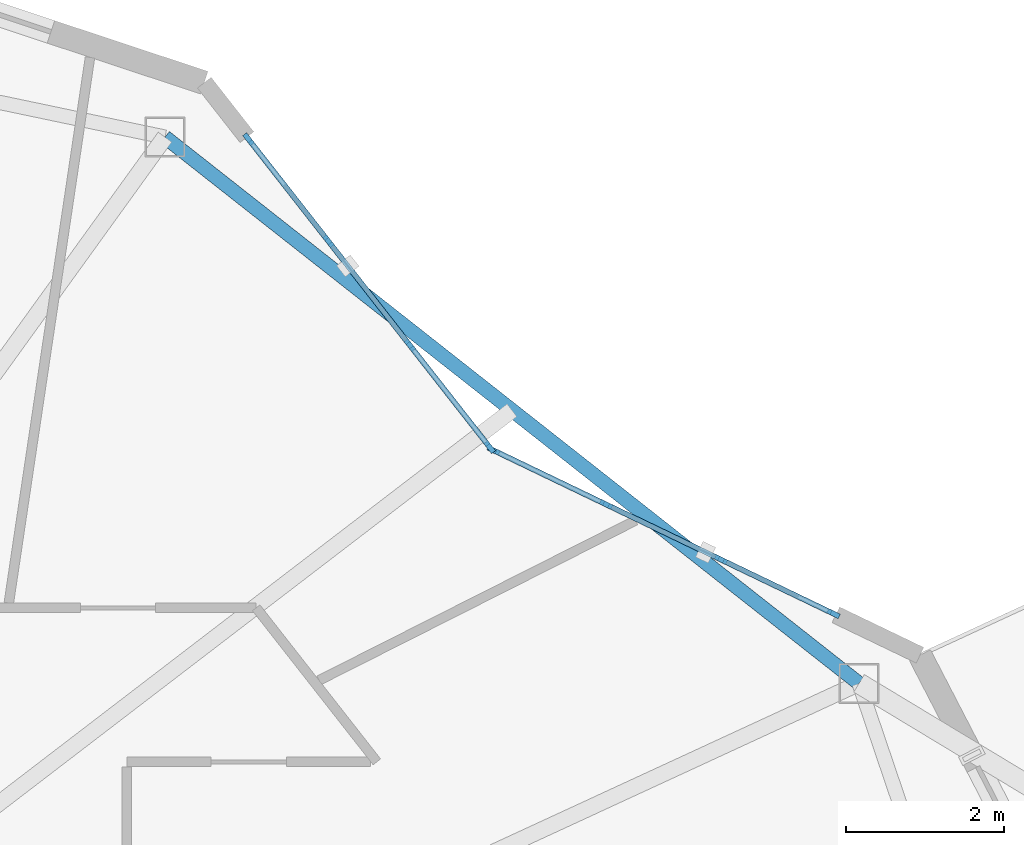
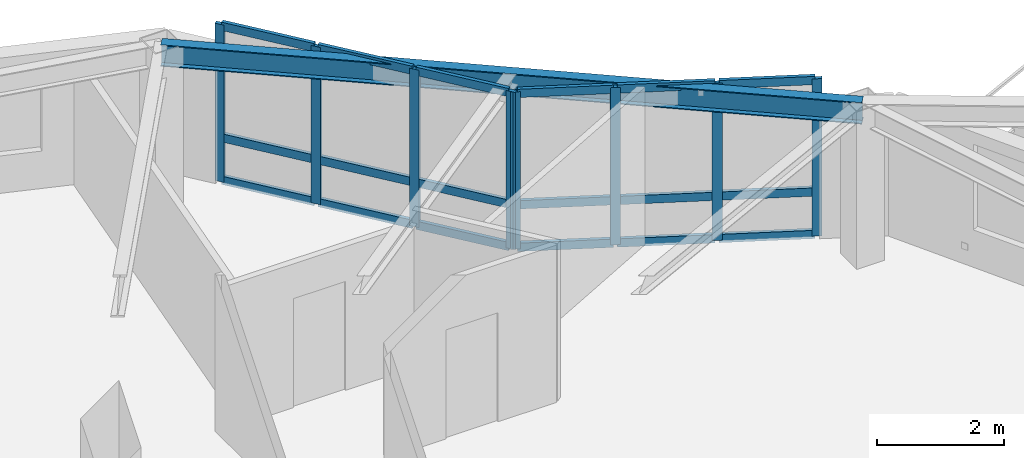
# One storey, part 4 of 14: 26 members, 1 beam, 2 elements without a shape of their own.
"""IFC4 building model written with IfcOpenShell, lengths in metres."""

from ifc_helpers import new_model, si_unit, direction, frame, origin, origin_2d, place, context, subcontext, project, spatial, rectangle, i_section, extrude, material, layer, layer_set, material_profile, profile_set, type_object, element, aggregate, save


model = new_model("IFC4")

# Units and contexts
model_context = context("Model", 3, precision=1e-05, world=origin(), true_north=direction((0.0, 1.0)))
body_context = subcontext(model_context, "Body", "Model", "MODEL_VIEW")
ifc_project = project(units=[si_unit("LENGTHUNIT", "METRE"), si_unit("AREAUNIT", "SQUARE_METRE"), si_unit("VOLUMEUNIT", "CUBIC_METRE"), si_unit("PLANEANGLEUNIT", "RADIAN"), si_unit("MASSUNIT", "GRAM", prefix="KILO")], contexts=[model_context])

# Site, building, storey
site_placement = place(None, origin())
site = spatial("IfcSite", under=ifc_project, at=site_placement, CompositionType="ELEMENT")
building_placement = place(site_placement, origin())
building = spatial("IfcBuilding", under=site, at=building_placement, Name="Kolvaren Gate Tower and Convention Centre", CompositionType="ELEMENT")
storey_placement = place(building_placement, frame((0.0, 0.0, 232.699951171875)))
storey = spatial("IfcBuildingStorey", under=building, at=storey_placement, Name="L62", CompositionType="ELEMENT", Elevation=232.699951171875)

# Curtain wall, members
ifc_material_1 = material(Name="Anodized Architectural Aluminium Alloy 6063-T6", Category="aluminium")
ifc_layer = layer(ifc_material_1, 0.159912109375)
ifc_layer_set = layer_set([ifc_layer], Name="Anodized Architectural Aluminium Alloy 6063-T6")
curtain_wall_type = type_object("IfcCurtainWallType", Name="CW-RES-UNIT", PredefinedType="NOTDEFINED", material=ifc_layer_set)
curtain_wall_1_placement = place(storey_placement, origin())
curtain_wall_1 = element("IfcCurtainWall", 1, at=curtain_wall_1_placement, inside=storey, type_object=curtain_wall_type, Name="Tower L62 Unitised Curtain Wall CW-RES-UNIT Bay 02", PredefinedType="NOTDEFINED")
ifc_material_profile_1 = material_profile(ifc_material_1, rectangle(XDim=0.06494140625, YDim=0.159912109375, at=origin_2d()), Name="CW-MEM-MUL-160")
ifc_profile_set_1 = profile_set([ifc_material_profile_1], Name="Anodized Architectural Aluminium Alloy 6063-T6")
member_type_1 = type_object("IfcMemberType", Name="CW-MEM-MUL-160", PredefinedType="MULLION", material=ifc_profile_set_1)
member_1_placement = place(storey_placement, frame((46.161865234375, 39.4931640625, 0.0), z_axis=(0.0, 0.0, 1.0), x_axis=(0.433064264345, 0.90136304725, 0.0)))
member_1 = element("IfcMember", 2, at=member_1_placement, type_object=member_type_1, Name="CW-04 mullion 1", PredefinedType="MULLION", context=body_context, shape_type="SweptSolid", body=[
    extrude(rectangle(XDim=0.06494140625, YDim=0.159912109375, at=origin_2d()), origin(), (0.0, 0.0, 1.0), 3.030029296875),
])
member_2_placement = place(storey_placement, frame((47.58642578125, 38.808837890625, 0.0), z_axis=(0.0, 0.0, 1.0), x_axis=(0.433064264345, 0.90136304725, 0.0)))
member_2 = element("IfcMember", 3, at=member_2_placement, type_object=member_type_1, Name="CW-04 mullion 2", PredefinedType="MULLION", context=body_context, shape_type="SweptSolid", body=[
    extrude(rectangle(XDim=0.06494140625, YDim=0.159912109375, at=origin_2d()), origin(), (0.0, 0.0, 1.0), 3.030029296875),
])
member_3_placement = place(storey_placement, frame((49.040283203125, 38.1103515625, 0.0), z_axis=(0.0, 0.0, 1.0), x_axis=(0.433064264345, 0.90136304725, 0.0)))
member_3 = element("IfcMember", 4, at=member_3_placement, type_object=member_type_1, Name="CW-04 mullion 3", PredefinedType="MULLION", context=body_context, shape_type="SweptSolid", body=[
    extrude(rectangle(XDim=0.06494140625, YDim=0.159912109375, at=origin_2d()), origin(), (0.0, 0.0, 1.0), 3.030029296875),
])
member_4_placement = place(storey_placement, frame((50.46484375, 37.42578125, 0.0), z_axis=(0.0, 0.0, 1.0), x_axis=(0.433064264345, 0.90136304725, 0.0)))
member_4 = element("IfcMember", 5, at=member_4_placement, type_object=member_type_1, Name="CW-04 mullion 4", PredefinedType="MULLION", context=body_context, shape_type="SweptSolid", body=[
    extrude(rectangle(XDim=0.06494140625, YDim=0.159912109375, at=origin_2d()), origin(), (0.0, 0.0, 1.0), 3.030029296875),
])

curtain_wall_2_placement = place(storey_placement, origin())
curtain_wall_2 = element("IfcCurtainWall", 6, at=curtain_wall_2_placement, inside=storey, type_object=curtain_wall_type, Name="Tower L62 Unitised Curtain Wall CW-RES-UNIT Bay 03", PredefinedType="NOTDEFINED")
member_5_placement = place(storey_placement, frame((43.06005859375, 43.431884765625, 0.0), z_axis=(0.0, 0.0, 1.0), x_axis=(0.787404459493, 0.616436709784, 0.0)))
member_5 = element("IfcMember", 7, at=member_5_placement, type_object=member_type_1, Name="CW-04 mullion 1", PredefinedType="MULLION", context=body_context, shape_type="SweptSolid", body=[
    extrude(rectangle(XDim=0.06494140625, YDim=0.159912109375, at=origin_2d()), origin(), (0.0, 0.0, 1.0), 3.030029296875),
])
member_6_placement = place(storey_placement, frame((44.07080078125, 42.140869140625, 0.0), z_axis=(0.0, 0.0, 1.0), x_axis=(0.787404459493, 0.616436709784, 0.0)))
member_6 = element("IfcMember", 8, at=member_6_placement, type_object=member_type_1, Name="CW-04 mullion 2", PredefinedType="MULLION", context=body_context, shape_type="SweptSolid", body=[
    extrude(rectangle(XDim=0.06494140625, YDim=0.159912109375, at=origin_2d()), origin(), (0.0, 0.0, 1.0), 3.030029296875),
])
member_7_placement = place(storey_placement, frame((45.1015625, 40.823974609375, 0.0), z_axis=(0.0, 0.0, 1.0), x_axis=(0.787404459493, 0.616436709784, 0.0)))
member_7 = element("IfcMember", 9, at=member_7_placement, type_object=member_type_1, Name="CW-04 mullion 3", PredefinedType="MULLION", context=body_context, shape_type="SweptSolid", body=[
    extrude(rectangle(XDim=0.06494140625, YDim=0.159912109375, at=origin_2d()), origin(), (0.0, 0.0, 1.0), 3.030029296875),
])
member_8_placement = place(storey_placement, frame((46.112548828125, 39.532958984375, 0.0), z_axis=(0.0, 0.0, 1.0), x_axis=(0.787404459493, 0.616436709784, 0.0)))
member_8 = element("IfcMember", 10, at=member_8_placement, type_object=member_type_1, Name="CW-04 mullion 4", PredefinedType="MULLION", context=body_context, shape_type="SweptSolid", body=[
    extrude(rectangle(XDim=0.06494140625, YDim=0.159912109375, at=origin_2d()), origin(), (0.0, 0.0, 1.0), 3.030029296875),
])

# Member
ifc_material_profile_2 = material_profile(ifc_material_1, rectangle(XDim=0.06494140625, YDim=0.159912109375, at=origin_2d()), Name="CW-MEM-TRN-160")
ifc_profile_set_2 = profile_set([ifc_material_profile_2], Name="Anodized Architectural Aluminium Alloy 6063-T6")
member_type_2 = type_object("IfcMemberType", Name="CW-MEM-TRN-160", PredefinedType="USERDEFINED", material=ifc_profile_set_2)
member_9_placement = place(storey_placement, frame((46.191162109375, 39.479248046875, 0.032470703125), z_axis=(0.901309275583, -0.433176164797, 0.0), x_axis=(0.433176164797, 0.901309275583, 0.0)))
member_9 = element("IfcMember", 11, at=member_9_placement, type_object=member_type_2, Name="CW-04 transom 1.1", ObjectType="TRANSOM", PredefinedType="USERDEFINED", context=body_context, shape_type="SweptSolid", body=[
    extrude(rectangle(XDim=0.06494140625, YDim=0.159912109375, at=origin_2d()), origin(), (0.0, 0.0, 1.0), 1.515625),
])

member_10_placement = place(storey_placement, frame((46.191162109375, 39.479248046875, 0.85009765625), z_axis=(0.901309275583, -0.433176164797, 0.0), x_axis=(0.433176164797, 0.901309275583, 0.0)))
member_10 = element("IfcMember", 12, at=member_10_placement, type_object=member_type_2, Name="CW-04 transom 1.2", ObjectType="TRANSOM", PredefinedType="USERDEFINED", context=body_context, shape_type="SweptSolid", body=[
    extrude(rectangle(XDim=0.06494140625, YDim=0.159912109375, at=origin_2d()), origin(), (0.0, 0.0, 1.0), 1.515625),
])

member_11_placement = place(storey_placement, frame((46.191162109375, 39.479248046875, 2.99755859375), z_axis=(0.901309275583, -0.433176164797, 0.0), x_axis=(0.433176164797, 0.901309275583, 0.0)))
member_11 = element("IfcMember", 13, at=member_11_placement, type_object=member_type_2, Name="CW-04 transom 1.3", ObjectType="TRANSOM", PredefinedType="USERDEFINED", context=body_context, shape_type="SweptSolid", body=[
    extrude(rectangle(XDim=0.06494140625, YDim=0.159912109375, at=origin_2d()), origin(), (0.0, 0.0, 1.0), 1.515625),
])

member_12_placement = place(storey_placement, frame((47.61572265625, 38.794677734375, 0.032470703125), z_axis=(0.901350707748, -0.433089946365, 0.0), x_axis=(0.433089946365, 0.901350707748, 0.0)))
member_12 = element("IfcMember", 14, at=member_12_placement, type_object=member_type_2, Name="CW-04 transom 2.1", ObjectType="TRANSOM", PredefinedType="USERDEFINED", context=body_context, shape_type="SweptSolid", body=[
    extrude(rectangle(XDim=0.06494140625, YDim=0.159912109375, at=origin_2d()), origin(), (0.0, 0.0, 1.0), 1.5478515625),
])

member_13_placement = place(storey_placement, frame((47.61572265625, 38.794677734375, 0.85009765625), z_axis=(0.901350707748, -0.433089946365, 0.0), x_axis=(0.433089946365, 0.901350707748, 0.0)))
member_13 = element("IfcMember", 15, at=member_13_placement, type_object=member_type_2, Name="CW-04 transom 2.2", ObjectType="TRANSOM", PredefinedType="USERDEFINED", context=body_context, shape_type="SweptSolid", body=[
    extrude(rectangle(XDim=0.06494140625, YDim=0.159912109375, at=origin_2d()), origin(), (0.0, 0.0, 1.0), 1.5478515625),
])

member_14_placement = place(storey_placement, frame((47.61572265625, 38.794677734375, 2.99755859375), z_axis=(0.901350707748, -0.433089946365, 0.0), x_axis=(0.433089946365, 0.901350707748, 0.0)))
member_14 = element("IfcMember", 16, at=member_14_placement, type_object=member_type_2, Name="CW-04 transom 2.3", ObjectType="TRANSOM", PredefinedType="USERDEFINED", context=body_context, shape_type="SweptSolid", body=[
    extrude(rectangle(XDim=0.06494140625, YDim=0.159912109375, at=origin_2d()), origin(), (0.0, 0.0, 1.0), 1.5478515625),
])

member_15_placement = place(storey_placement, frame((49.069580078125, 38.09619140625, 0.032470703125), z_axis=(0.901372164893, -0.433045286726, 0.0), x_axis=(0.433045286726, 0.901372164893, 0.0)))
member_15 = element("IfcMember", 17, at=member_15_placement, type_object=member_type_2, Name="CW-04 transom 3.1", ObjectType="TRANSOM", PredefinedType="USERDEFINED", context=body_context, shape_type="SweptSolid", body=[
    extrude(rectangle(XDim=0.06494140625, YDim=0.159912109375, at=origin_2d()), origin(), (0.0, 0.0, 1.0), 1.515380859375),
])

member_16_placement = place(storey_placement, frame((49.069580078125, 38.09619140625, 0.85009765625), z_axis=(0.901372164893, -0.433045286726, 0.0), x_axis=(0.433045286726, 0.901372164893, 0.0)))
member_16 = element("IfcMember", 18, at=member_16_placement, type_object=member_type_2, Name="CW-04 transom 3.2", ObjectType="TRANSOM", PredefinedType="USERDEFINED", context=body_context, shape_type="SweptSolid", body=[
    extrude(rectangle(XDim=0.06494140625, YDim=0.159912109375, at=origin_2d()), origin(), (0.0, 0.0, 1.0), 1.515380859375),
])

member_17_placement = place(storey_placement, frame((49.069580078125, 38.09619140625, 2.99755859375), z_axis=(0.901372164893, -0.433045286726, 0.0), x_axis=(0.433045286726, 0.901372164893, 0.0)))
member_17 = element("IfcMember", 19, at=member_17_placement, type_object=member_type_2, Name="CW-04 transom 3.3", ObjectType="TRANSOM", PredefinedType="USERDEFINED", context=body_context, shape_type="SweptSolid", body=[
    extrude(rectangle(XDim=0.06494140625, YDim=0.159912109375, at=origin_2d()), origin(), (0.0, 0.0, 1.0), 1.515380859375),
])

aggregate(curtain_wall_1, [member_1, member_2, member_3, member_4, member_9, member_10, member_11, member_12, member_13, member_14, member_15, member_16, member_17])

member_18_placement = place(storey_placement, frame((43.080078125, 43.40625, 0.032470703125), z_axis=(0.616416943475, -0.787419933579, 0.0), x_axis=(0.787419933579, 0.616416943475, 0.0)))
member_18 = element("IfcMember", 20, at=member_18_placement, type_object=member_type_2, Name="CW-04 transom 1.1", ObjectType="TRANSOM", PredefinedType="USERDEFINED", context=body_context, shape_type="SweptSolid", body=[
    extrude(rectangle(XDim=0.06494140625, YDim=0.159912109375, at=origin_2d()), origin(), (0.0, 0.0, 1.0), 1.57470703125),
])

member_19_placement = place(storey_placement, frame((43.080078125, 43.40625, 0.85009765625), z_axis=(0.616416943475, -0.787419933579, 0.0), x_axis=(0.787419933579, 0.616416943475, 0.0)))
member_19 = element("IfcMember", 21, at=member_19_placement, type_object=member_type_2, Name="CW-04 transom 1.2", ObjectType="TRANSOM", PredefinedType="USERDEFINED", context=body_context, shape_type="SweptSolid", body=[
    extrude(rectangle(XDim=0.06494140625, YDim=0.159912109375, at=origin_2d()), origin(), (0.0, 0.0, 1.0), 1.57470703125),
])

member_20_placement = place(storey_placement, frame((43.080078125, 43.40625, 2.99755859375), z_axis=(0.616416943475, -0.787419933579, 0.0), x_axis=(0.787419933579, 0.616416943475, 0.0)))
member_20 = element("IfcMember", 22, at=member_20_placement, type_object=member_type_2, Name="CW-04 transom 1.3", ObjectType="TRANSOM", PredefinedType="USERDEFINED", context=body_context, shape_type="SweptSolid", body=[
    extrude(rectangle(XDim=0.06494140625, YDim=0.159912109375, at=origin_2d()), origin(), (0.0, 0.0, 1.0), 1.57470703125),
])

member_21_placement = place(storey_placement, frame((44.0908203125, 42.115234375, 0.032470703125), z_axis=(0.616398363045, -0.787434478567, 0.0), x_axis=(0.787434478567, 0.616398363045, 0.0)))
member_21 = element("IfcMember", 23, at=member_21_placement, type_object=member_type_2, Name="CW-04 transom 2.1", ObjectType="TRANSOM", PredefinedType="USERDEFINED", context=body_context, shape_type="SweptSolid", body=[
    extrude(rectangle(XDim=0.06494140625, YDim=0.159912109375, at=origin_2d()), origin(), (0.0, 0.0, 1.0), 1.607177734375),
])

member_22_placement = place(storey_placement, frame((44.0908203125, 42.115234375, 0.85009765625), z_axis=(0.616398363045, -0.787434478567, 0.0), x_axis=(0.787434478567, 0.616398363045, 0.0)))
member_22 = element("IfcMember", 24, at=member_22_placement, type_object=member_type_2, Name="CW-04 transom 2.2", ObjectType="TRANSOM", PredefinedType="USERDEFINED", context=body_context, shape_type="SweptSolid", body=[
    extrude(rectangle(XDim=0.06494140625, YDim=0.159912109375, at=origin_2d()), origin(), (0.0, 0.0, 1.0), 1.607177734375),
])

member_23_placement = place(storey_placement, frame((44.0908203125, 42.115234375, 2.99755859375), z_axis=(0.616398363045, -0.787434478567, 0.0), x_axis=(0.787434478567, 0.616398363045, 0.0)))
member_23 = element("IfcMember", 25, at=member_23_placement, type_object=member_type_2, Name="CW-04 transom 2.3", ObjectType="TRANSOM", PredefinedType="USERDEFINED", context=body_context, shape_type="SweptSolid", body=[
    extrude(rectangle(XDim=0.06494140625, YDim=0.159912109375, at=origin_2d()), origin(), (0.0, 0.0, 1.0), 1.607177734375),
])

member_24_placement = place(storey_placement, frame((45.12158203125, 40.79833984375, 0.032470703125), z_axis=(0.616588309904, -0.7872857525, 0.0), x_axis=(0.7872857525, 0.616588309904, 0.0)))
member_24 = element("IfcMember", 26, at=member_24_placement, type_object=member_type_2, Name="CW-04 transom 3.1", ObjectType="TRANSOM", PredefinedType="USERDEFINED", context=body_context, shape_type="SweptSolid", body=[
    extrude(rectangle(XDim=0.06494140625, YDim=0.159912109375, at=origin_2d()), origin(), (0.0, 0.0, 1.0), 1.57470703125),
])

member_25_placement = place(storey_placement, frame((45.12158203125, 40.79833984375, 0.85009765625), z_axis=(0.616588309904, -0.7872857525, 0.0), x_axis=(0.7872857525, 0.616588309904, 0.0)))
member_25 = element("IfcMember", 27, at=member_25_placement, type_object=member_type_2, Name="CW-04 transom 3.2", ObjectType="TRANSOM", PredefinedType="USERDEFINED", context=body_context, shape_type="SweptSolid", body=[
    extrude(rectangle(XDim=0.06494140625, YDim=0.159912109375, at=origin_2d()), origin(), (0.0, 0.0, 1.0), 1.57470703125),
])

member_26_placement = place(storey_placement, frame((45.12158203125, 40.79833984375, 2.99755859375), z_axis=(0.616588309904, -0.7872857525, 0.0), x_axis=(0.7872857525, 0.616588309904, 0.0)))
member_26 = element("IfcMember", 28, at=member_26_placement, type_object=member_type_2, Name="CW-04 transom 3.3", ObjectType="TRANSOM", PredefinedType="USERDEFINED", context=body_context, shape_type="SweptSolid", body=[
    extrude(rectangle(XDim=0.06494140625, YDim=0.159912109375, at=origin_2d()), origin(), (0.0, 0.0, 1.0), 1.57470703125),
])

aggregate(curtain_wall_2, [member_5, member_6, member_7, member_8, member_18, member_19, member_20, member_21, member_22, member_23, member_24, member_25, member_26])

# Beam
ifc_material_2 = material(Name="Structural steel ASTM A992 Grade 345 MPa", Category="steel")
ifc_material_profile_3 = material_profile(ifc_material_2, i_section(OverallWidth=0.180908203125, OverallDepth=0.4169921875, WebThickness=0.010986328125, FlangeThickness=0.018310546875, at=origin_2d()), Name="W410X85")
ifc_profile_set_3 = profile_set([ifc_material_profile_3], Name="Structural steel ASTM A992 Grade 345 MPa")
beam_type = type_object("IfcBeamType", Name="STR-SP-W410X85", PredefinedType="SPANDREL", material=ifc_profile_set_3)
beam_placement = place(storey_placement, frame((50.787353515625, 36.543701171875, 2.821533203125), z_axis=(-0.78579365551, 0.618488747643, 0.0), x_axis=(-0.618488747643, -0.78579365551, 0.0)))
element("IfcBeam", 29, at=beam_placement, inside=storey, type_object=beam_type, Name="Tower L62 Perimeter Spandrel Beam SP-02", PredefinedType="SPANDREL", context=body_context, shape_type="SweptSolid", body=[
    extrude(i_section(OverallWidth=0.180908203125, OverallDepth=0.4169921875, WebThickness=0.010986328125, FlangeThickness=0.018310546875, at=origin_2d()), origin(), (0.0, 0.0, 1.0), 11.179443359375),
])

save(model, "model.ifc")
